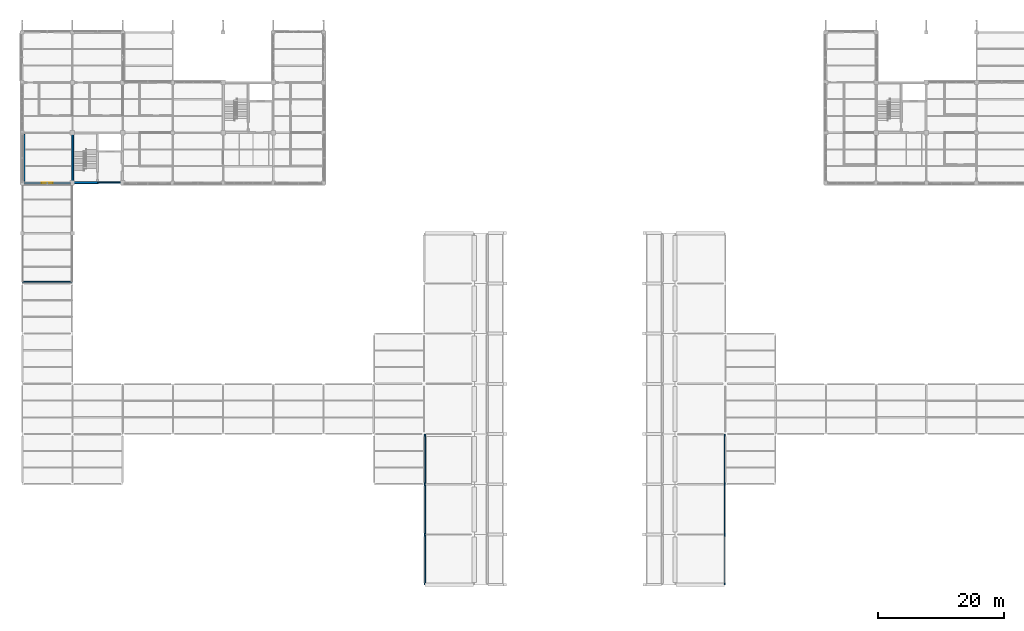
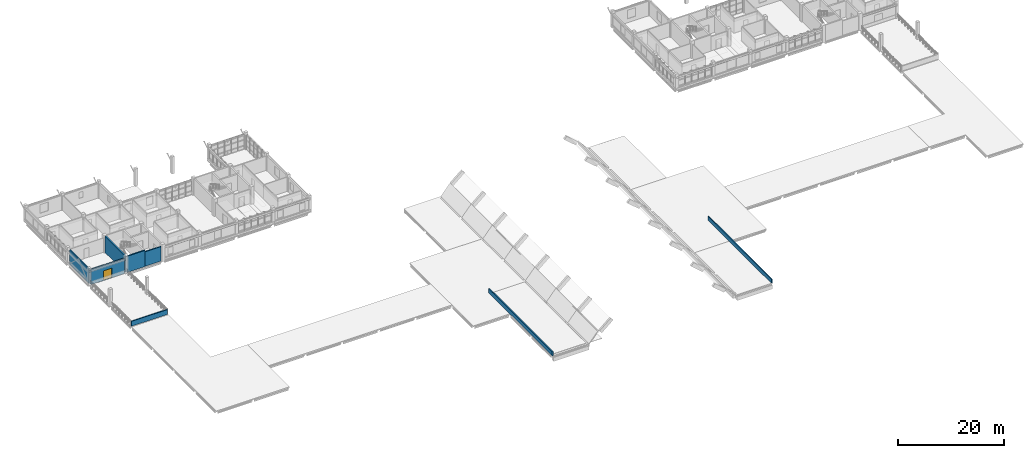
# One storey, part 23 of 35: 8 walls, 1 door, 1 opening.
"""IFC4 building model written with IfcOpenShell, lengths in metres."""

import ifcopenshell
import ifcopenshell.guid

model = None  # the IFC model being written
_history = None  # IfcOwnerHistory: only IFC2X3 demands one
_inside = {}  # id of a spatial element -> (the spatial element, [elements in it])
_under = {}  # id of a project, library or spatial element -> (it, [spatial elements below it])
_declared = {}  # id of a project -> (the project, [libraries it declares])
_typed = {}  # id of a type object -> (the type object, [elements of that type])
_made_of = {}  # id of a material, layer set ... -> (it, [elements and type objects made of it])


def new_model(schema):
    """Start an empty IFC model of exactly this schema.

    Asked for "IFC4X3", IfcOpenShell would pick the latest addendum, in which some entities
    have other attributes; the version numbers below select the first issue.
    IFC2X3 requires an IfcOwnerHistory on every rooted entity: one is made here for all.
    """
    global model, _history
    if schema == "IFC4X3":
        model = ifcopenshell.file(schema_version=(4, 3, 0, 0))
    else:
        model = ifcopenshell.file(schema=schema)
    _inside.clear()
    _under.clear()
    _declared.clear()
    _typed.clear()
    _made_of.clear()
    _history = None
    if model.schema == "IFC2X3":
        org = make("IfcOrganization", Name="unknown")
        user = make(
            "IfcPersonAndOrganization",
            ThePerson=make("IfcPerson", FamilyName="unknown"),
            TheOrganization=org,
        )
        app = make(
            "IfcApplication",
            ApplicationDeveloper=org,
            Version="unknown",
            ApplicationFullName="unknown",
            ApplicationIdentifier="unknown",
        )
        _history = make(
            "IfcOwnerHistory",
            OwningUser=user,
            OwningApplication=app,
            ChangeAction="ADDED",
            CreationDate=0,
        )
    return model


def make(cls, **values):
    """One entity of the class cls with the attributes given. An attribute that is None is left unset."""
    return model.create_entity(
        cls, **{name: value for name, value in values.items() if value is not None}
    )


def rooted(cls, **values):
    """An entity with a GlobalId (a new one), such as an element, a storey or a relation."""
    return make(cls, GlobalId=ifcopenshell.guid.new(), OwnerHistory=_history, **values)


def si_unit(unit_type, name, prefix=None):
    """IfcSIUnit, for example si_unit("LENGTHUNIT", "METRE", prefix="MILLI")."""
    return make("IfcSIUnit", UnitType=unit_type, Prefix=prefix, Name=name)


def derived_unit(unit_type, elements):
    """IfcDerivedUnit: a product of units, each with its exponent."""
    return make(
        "IfcDerivedUnit",
        Elements=[
            make("IfcDerivedUnitElement", Unit=unit, Exponent=power)
            for unit, power in elements
        ],
        UnitType=unit_type,
    )


def assignment(units):
    """IfcUnitAssignment: the units of a project."""
    return None if units is None else make("IfcUnitAssignment", Units=units)


def point(xyz):
    """IfcCartesianPoint."""
    return None if xyz is None else make("IfcCartesianPoint", Coordinates=xyz)


def direction(xyz):
    """IfcDirection."""
    return None if xyz is None else make("IfcDirection", DirectionRatios=xyz)


def frame(location, z_axis=None, x_axis=None):
    """IfcAxis2Placement3D, a coordinate frame: its origin and axes. An axis left out is left unset."""
    return make(
        "IfcAxis2Placement3D",
        Location=point(location),
        Axis=direction(z_axis),
        RefDirection=direction(x_axis),
    )


def frame_2d(location, x_axis=None):
    """IfcAxis2Placement2D, a coordinate frame in the plane: its origin and x axis."""
    return make(
        "IfcAxis2Placement2D", Location=point(location), RefDirection=direction(x_axis)
    )


def origin():
    """The frame at (0, 0, 0) with its axes left unset."""
    return frame((0.0, 0.0, 0.0))


def place(relative_to, where):
    """IfcLocalPlacement: puts the frame where relative to a parent placement (None: the world)."""
    return make(
        "IfcLocalPlacement", PlacementRelTo=relative_to, RelativePlacement=where
    )


def context(
    kind, dimensions, precision=None, world=None, true_north=None, identifier=None
):
    """IfcGeometricRepresentationContext, for example the 3D "Model" context."""
    return make(
        "IfcGeometricRepresentationContext",
        ContextIdentifier=identifier,
        ContextType=kind,
        CoordinateSpaceDimension=dimensions,
        Precision=precision,
        WorldCoordinateSystem=world,
        TrueNorth=true_north,
    )


def subcontext(parent, identifier, kind, view, scale=None):
    """IfcGeometricRepresentationSubContext, for example "Body" below "Model"."""
    return make(
        "IfcGeometricRepresentationSubContext",
        ContextIdentifier=identifier,
        ContextType=kind,
        ParentContext=parent,
        TargetScale=scale,
        TargetView=view,
    )


def project(units=None, contexts=None):
    """IfcProject with its units and contexts."""
    return rooted(
        "IfcProject",
        Name="project",
        RepresentationContexts=contexts,
        UnitsInContext=assignment(units),
    )


def spatial(cls, under=None, at=None, **own):
    """A site, building, storey or space (cls), placed at a placement, below another one or the project."""
    s = rooted(cls, ObjectPlacement=at, **own)
    if under is not None:
        _under.setdefault(under.id(), (under, []))[1].append(s)
    return s


def profile(cls, at=None, kind="AREA", **sizes):
    """A parametric profile (cls). Its sizes go by their IFC names, for example OverallWidth=200.0."""
    return make(cls, ProfileType=kind, Position=at, **sizes)


def rectangle(**sizes):
    """IfcRectangleProfileDef."""
    return profile("IfcRectangleProfileDef", **sizes)


def extrude(swept, where, along, depth):
    """IfcExtrudedAreaSolid: the profile swept, set in the frame where, extruded along a direction by depth."""
    return make(
        "IfcExtrudedAreaSolid",
        SweptArea=swept,
        Position=where,
        ExtrudedDirection=direction(along),
        Depth=depth,
    )


def shape(context_of_items, identifier, shape_type, items):
    """IfcShapeRepresentation: the items that make up one representation, for example the "Body"."""
    return make(
        "IfcShapeRepresentation",
        ContextOfItems=context_of_items,
        RepresentationIdentifier=identifier,
        RepresentationType=shape_type,
        Items=items,
    )


def material(Name=None, Category=None):
    """IfcMaterial."""
    return make("IfcMaterial", Name=Name, Category=Category)


def layer(
    of_material, thickness, ventilated=None, Name=None, Category=None, Priority=None
):
    """IfcMaterialLayer: one layer of a wall or slab, of a material (None: an air gap)."""
    return make(
        "IfcMaterialLayer",
        Material=of_material,
        LayerThickness=thickness,
        IsVentilated=ventilated,
        Name=Name,
        Category=Category,
        Priority=Priority,
    )


def layer_set(layers, Name=None):
    """IfcMaterialLayerSet."""
    return make("IfcMaterialLayerSet", MaterialLayers=layers, LayerSetName=Name)


def made_of(thing, what):
    """Note that an element or type object is made of a material, layer set ...; save() writes the relation."""
    if what is not None:
        _made_of.setdefault(what.id(), (what, []))[1].append(thing)
    return thing


def type_object(cls, material=None, **own):
    """A type object (cls), such as IfcWallType, which elements share."""
    return made_of(rooted(cls, **own), material)


def element(
    cls,
    number,
    at=None,
    inside=None,
    cuts=None,
    type_object=None,
    material=None,
    context=None,
    identifier="Body",
    shape_type=None,
    held_by="IfcProductDefinitionShape",
    body=None,
    shapes=None,
    **own,
):
    """One element of the class cls, such as IfcWall. Its Tag is "e" and its number.

    at: its placement. inside: the storey or other place that contains it. cuts: it is an
    opening in that element (IfcRelVoidsElement). A single representation is given by context,
    identifier, shape_type and body (its items); several are given by shapes. held_by: the class
    of the entity that holds the representations. save() writes the other relations.
    """
    e = rooted(cls, Tag="e%d" % number, ObjectPlacement=at, **own)
    if body is not None:
        shapes = [shape(context, identifier, shape_type, body)]
    if shapes is not None:
        e.Representation = make(held_by, Representations=shapes)
    if inside is not None:
        _inside.setdefault(inside.id(), (inside, []))[1].append(e)
    if cuts is not None:
        rooted(
            "IfcRelVoidsElement", RelatingBuildingElement=cuts, RelatedOpeningElement=e
        )
    if type_object is not None:
        _typed.setdefault(type_object.id(), (type_object, []))[1].append(e)
    return made_of(e, material)


def fill(opening, filler):
    """IfcRelFillsElement: the door or window that sits in an opening."""
    return rooted(
        "IfcRelFillsElement",
        RelatingOpeningElement=opening,
        RelatedBuildingElement=filler,
    )


def aggregate(whole, parts):
    """IfcRelAggregates: a whole, such as a stair, and the parts it consists of."""
    return rooted("IfcRelAggregates", RelatingObject=whole, RelatedObjects=parts)


def save(model, path):
    """Write the relations noted so far, then the file.

    IfcRelAggregates (storeys below a building ...), IfcRelContainedInSpatialStructure (elements
    in a storey), IfcRelDefinesByType, IfcRelAssociatesMaterial and IfcRelDeclares: one each for
    every whole, place, type object, material and project.
    """
    for whole, parts in _under.values():
        aggregate(whole, parts)
    for where, things in _inside.values():
        rooted(
            "IfcRelContainedInSpatialStructure",
            RelatedElements=things,
            RelatingStructure=where,
        )
    for kind, things in _typed.values():
        rooted("IfcRelDefinesByType", RelatedObjects=things, RelatingType=kind)
    for what, things in _made_of.values():
        rooted("IfcRelAssociatesMaterial", RelatedObjects=things, RelatingMaterial=what)
    for by, libraries in _declared.values():
        rooted("IfcRelDeclares", RelatingContext=by, RelatedDefinitions=libraries)
    model.write(path)


model = new_model("IFC4")

# Units and contexts
model_context = context("Model", 3, precision=1e-05, world=origin(), true_north=direction((0.0, 1.0)))
body_context = subcontext(model_context, "Body", "Model", "MODEL_VIEW")
ifc_project = project(units=[si_unit("LENGTHUNIT", "METRE"), si_unit("AREAUNIT", "SQUARE_METRE"), si_unit("VOLUMEUNIT", "CUBIC_METRE"), si_unit("PLANEANGLEUNIT", "RADIAN"), si_unit("MASSUNIT", "GRAM", prefix="KILO"), derived_unit("THERMALTRANSMITTANCEUNIT", [(si_unit("MASSUNIT", "GRAM", prefix="KILO"), 1), (si_unit("TIMEUNIT", "SECOND"), -3), (si_unit("THERMODYNAMICTEMPERATUREUNIT", "KELVIN"), -1)])], contexts=[model_context])

# Site, building, storey
site_placement = place(None, origin())
site = spatial("IfcSite", under=ifc_project, at=site_placement, CompositionType="ELEMENT")
building_placement = place(site_placement, origin())
building = spatial("IfcBuilding", under=site, at=building_placement, Name="Veyamyaing Civic Hall", CompositionType="ELEMENT")
storey_placement = place(building_placement, frame((0.0, 0.0, 21.780029296875)))
storey = spatial("IfcBuildingStorey", under=building, at=storey_placement, Name="L05", CompositionType="ELEMENT", Elevation=21.780029296875)

# Wall, opening, door
ifc_material_1 = material(Name="Precast concrete C40/50", Category="concrete")
ifc_layer_1 = layer(ifc_material_1, 0.280029296875, Name="Precast concrete C40/50")
ifc_layer_set_1 = layer_set([ifc_layer_1], Name="Precast concrete C40/50")
wall_type_1 = type_object("IfcWallType", Name="WT-04", PredefinedType="SOLIDWALL", material=ifc_layer_set_1)
wall_1_placement = place(storey_placement, frame((0.284912109375, 88.0, 0.0), z_axis=(0.0, 0.0, 1.0), x_axis=(1.0, 0.0, 0.0)))
wall_1 = element("IfcWall", 1, at=wall_1_placement, inside=storey, type_object=wall_type_1, Name="Exterior facade wall WT-04 L05 S 1.12", PredefinedType="SOLIDWALL", context=body_context, shape_type="SweptSolid", body=[
    extrude(rectangle(XDim=7.380126953125, YDim=0.280029296875, at=frame_2d((3.68994140625, 0.0))), origin(), (0.0, 0.0, 1.0), 3.4638671875),
])
opening_placement = place(wall_1_placement, frame((2.81494140625, 0.0, 0.0)))
opening = element("IfcOpeningElement", 2, at=opening_placement, cuts=wall_1, Name="Opening D-22", PredefinedType="OPENING", context=body_context, shape_type="SweptSolid", body=[
    extrude(rectangle(XDim=1.75, YDim=2.199951171875, at=frame_2d((0.875, 1.10009765625))), frame((0.0, 0.14990234375, 0.0), z_axis=(0.0, -1.0, 0.0), x_axis=(1.0, 0.0, 0.0)), (0.0, 0.0, 1.0), 0.300048828125),
])
ifc_material_2 = material(Name="Anodised aluminium 6063-T6", Category="aluminium")
door_type = type_object("IfcDoorType", Name="D-22", OperationType="DOUBLE_DOOR_SINGLE_SWING", PredefinedType="DOOR", material=ifc_material_2)
door_placement = place(opening_placement, frame((1.75, 0.0, 0.0), z_axis=(0.0, 0.0, 1.0), x_axis=(-1.0, 0.0, 0.0)))
door = element("IfcDoor", 3, at=door_placement, inside=storey, type_object=door_type, Name="Planted roof terrace door D-22 L05 S 1.12", OperationType="DOUBLE_DOOR_SINGLE_SWING", OverallHeight=2.199951171875, OverallWidth=1.75, PredefinedType="DOOR", context=body_context, shape_type="SweptSolid", body=[
    extrude(rectangle(XDim=1.75, YDim=2.199951171875, at=frame_2d((0.875, 1.10009765625))), frame((0.0, 0.02490234375, 0.0), z_axis=(0.0, -1.0, 0.0), x_axis=(1.0, 0.0, 0.0)), (0.0, 0.0, 1.0), 0.050048828125),
])
fill(opening, door)

# Walls
wall_2_placement = place(storey_placement, frame((0.300048828125, 88.284912109375, 0.0), z_axis=(0.0, 0.0, 1.0), x_axis=(0.0, 1.0, 0.0)))
element("IfcWall", 4, at=wall_2_placement, inside=storey, type_object=wall_type_1, Name="Exterior facade wall WT-04 L05 W 1.12", PredefinedType="SOLIDWALL", context=body_context, shape_type="SweptSolid", body=[
    extrude(rectangle(XDim=7.43017578125, YDim=0.280029296875, at=frame_2d((3.715087890625, 0.0))), origin(), (0.0, 0.0, 1.0), 3.304931640625),
])
ifc_material_3 = material(Name="Concrete C40/50", Category="concrete")
ifc_layer_2 = layer(ifc_material_3, 0.300048828125, Name="Concrete C40/50")
ifc_layer_set_2 = layer_set([ifc_layer_2], Name="Concrete C40/50")
wall_type_2 = type_object("IfcWallType", Name="WT-05", PredefinedType="SHEAR", material=ifc_layer_set_2)
wall_3_placement = place(storey_placement, frame((8.050048828125, 88.239990234375, 0.0), z_axis=(0.0, 0.0, 1.0), x_axis=(0.0, 1.0, 0.0)))
element("IfcWall", 5, at=wall_3_placement, inside=storey, type_object=wall_type_2, Name="Core shear wall WT-05 CORE-1 L05.W", PredefinedType="SHEAR", context=body_context, shape_type="SweptSolid", body=[
    extrude(rectangle(XDim=7.52001953125, YDim=0.300048828125, at=frame_2d((3.760009765625, 0.0))), origin(), (0.0, 0.0, 1.0), 3.73486328125),
])
wall_4_placement = place(storey_placement, frame((8.239990234375, 88.050048828125, 0.0), z_axis=(0.0, 0.0, 1.0), x_axis=(1.0, 0.0, 0.0)))
element("IfcWall", 6, at=wall_4_placement, inside=storey, type_object=wall_type_2, Name="Core shear wall WT-05 CORE-1 L05.SS", PredefinedType="SHEAR", context=body_context, shape_type="SweptSolid", body=[
    extrude(rectangle(XDim=3.909912109375, YDim=0.300048828125, at=frame_2d((1.955078125, 0.0))), origin(), (0.0, 0.0, 1.0), 3.73486328125),
])
ifc_layer_3 = layer(ifc_material_3, 0.199951171875, Name="Concrete C40/50")
ifc_layer_set_3 = layer_set([ifc_layer_3], Name="Concrete C40/50")
wall_type_3 = type_object("IfcWallType", Name="WT-06", PredefinedType="PARTITIONING", material=ifc_layer_set_3)
wall_5_placement = place(storey_placement, frame((12.0, 88.050048828125, 0.0), z_axis=(0.0, 0.0, 1.0), x_axis=(1.0, 0.0, 0.0)))
element("IfcWall", 7, at=wall_5_placement, inside=storey, type_object=wall_type_3, Name="Firefighting lift lobby wall WT-06 CORE-1 L05", PredefinedType="PARTITIONING", context=body_context, shape_type="SweptSolid", body=[
    extrude(rectangle(XDim=3.659912109375, YDim=0.199951171875, at=frame_2d((1.830078125, 0.0))), origin(), (0.0, 0.0, 1.0), 3.366943359375),
])
ifc_layer_4 = layer(ifc_material_1, 0.2451171875, Name="Precast concrete C40/50")
ifc_layer_set_4 = layer_set([ifc_layer_4], Name="Precast concrete C40/50")
wall_type_4 = type_object("IfcWallType", Name="WT-10", PredefinedType="PARAPET", material=ifc_layer_set_4)
wall_6_placement = place(storey_placement, frame((64.1201171875, 24.0, 0.0), z_axis=(0.0, 0.0, 1.0), x_axis=(0.0, 1.0, 0.0)))
element("IfcWall", 8, at=wall_6_placement, inside=storey, type_object=wall_type_4, Name="Roof parapet WT-10 L05.5", PredefinedType="PARAPET", context=body_context, shape_type="SweptSolid", body=[
    extrude(rectangle(XDim=24.0, YDim=0.2451171875, at=frame_2d((12.0, 0.0))), origin(), (0.0, 0.0, 1.0), 0.949951171875),
])
ifc_layer_5 = layer(ifc_material_1, 0.195068359375, Name="Precast concrete C40/50")
ifc_layer_set_5 = layer_set([ifc_layer_5], Name="Precast concrete C40/50")
wall_type_5 = type_object("IfcWallType", Name="WT-12", PredefinedType="PARAPET", material=ifc_layer_set_5)
wall_7_placement = place(storey_placement, frame((0.0400390625, 72.260009765625, 0.0), z_axis=(0.0, 0.0, 1.0), x_axis=(1.0, 0.0, 0.0)))
element("IfcWall", 9, at=wall_7_placement, inside=storey, type_object=wall_type_5, Name="Terrace divider parapet WT-12 L05.1", PredefinedType="PARAPET", context=body_context, shape_type="SweptSolid", body=[
    extrude(rectangle(XDim=7.919921875, YDim=0.195068359375, at=frame_2d((3.9599609375, 0.0))), origin(), (0.0, 0.0, 1.0), 1.119873046875),
])
wall_8_placement = place(storey_placement, frame((111.8798828125, 24.0, 0.0), z_axis=(0.0, 0.0, 1.0), x_axis=(0.0, 1.0, 0.0)))
element("IfcWall", 10, at=wall_8_placement, inside=storey, type_object=wall_type_5, Name="Roof parapet WT-12 L05.6", PredefinedType="PARAPET", context=body_context, shape_type="SweptSolid", body=[
    extrude(rectangle(XDim=24.0, YDim=0.195068359375, at=frame_2d((12.0, 0.0))), origin(), (0.0, 0.0, 1.0), 0.949951171875),
])

save(model, "model.ifc")
